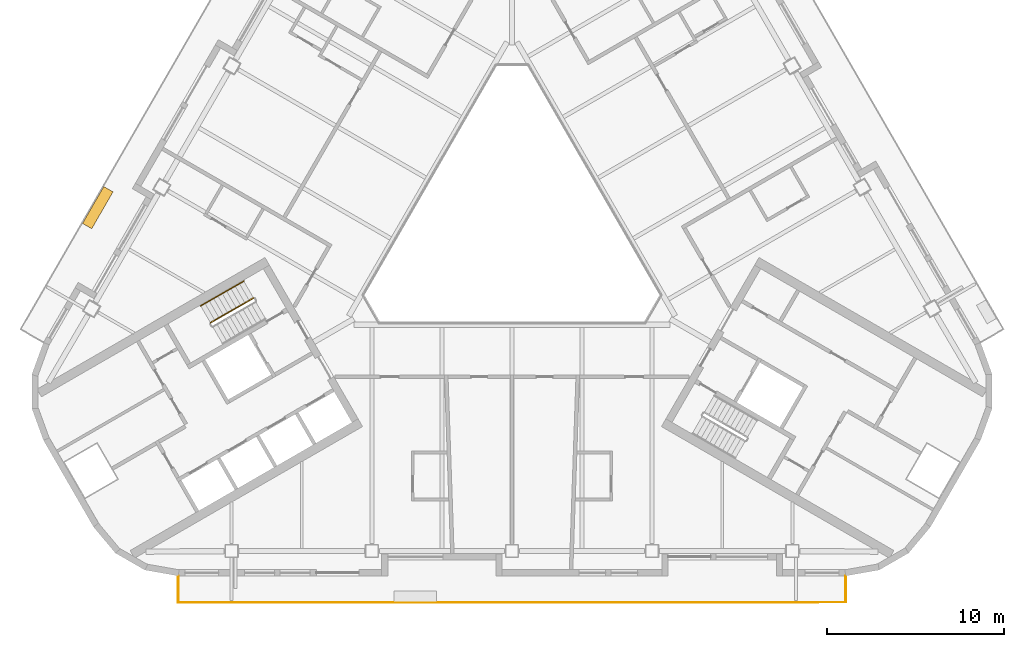
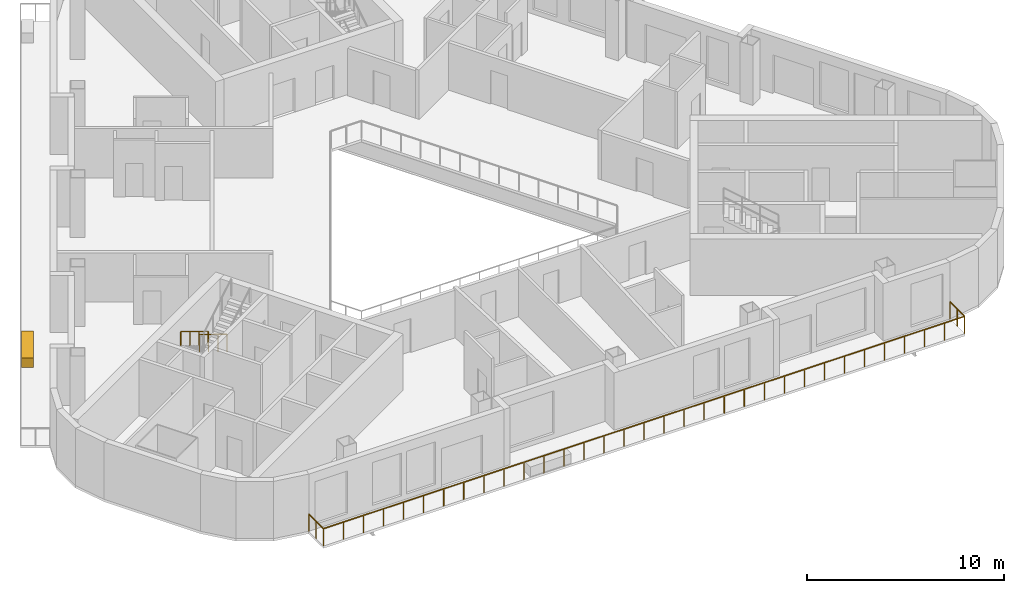
# One storey, part 9 of 13: 3 railings, 1 covering.
"""IFC4 building model written with IfcOpenShell, lengths in metres."""

from ifc_helpers import new_model, si_unit, direction, frame, origin, origin_2d, place, context, subcontext, project, spatial, rectangle, circle, extrude, material, type_object, element, save


model = new_model("IFC4")

# Units and contexts
model_context = context("Model", 3, precision=1e-05, world=origin(), true_north=direction((0.0, 1.0)))
body_context = subcontext(model_context, "Body", "Model", "MODEL_VIEW")
ifc_project = project(units=[si_unit("LENGTHUNIT", "METRE"), si_unit("AREAUNIT", "SQUARE_METRE"), si_unit("VOLUMEUNIT", "CUBIC_METRE"), si_unit("PLANEANGLEUNIT", "RADIAN"), si_unit("MASSUNIT", "GRAM", prefix="KILO")], contexts=[model_context])

# Site, building, storey
site_placement = place(None, origin())
site = spatial("IfcSite", under=ifc_project, at=site_placement, CompositionType="ELEMENT")
building_placement = place(site_placement, origin())
building = spatial("IfcBuilding", under=site, at=building_placement, Name="Apuvela Tower Hotel", CompositionType="ELEMENT")
storey_placement = place(building_placement, frame((0.0, 0.0, 187.300048828125)))
storey = spatial("IfcBuildingStorey", under=building, at=storey_placement, Name="L45", CompositionType="ELEMENT", Elevation=187.300048828125)

# Railings
ifc_material_1 = material(Name="Steel S275 balustrade", Category="steel")
railing_type_1 = type_object("IfcRailingType", Name="COR-GUARD-1100", PredefinedType="GUARDRAIL", material=ifc_material_1)
railing_1_placement = place(storey_placement, frame((-14.569091796875, -3.9658203125, 0.168212890625)))
element("IfcRailing", 1, at=railing_1_placement, inside=storey, type_object=railing_type_1, Name="L45 ST2 stair guard 1", PredefinedType="GUARDRAIL", context=body_context, shape_type="SweptSolid", body=[
    extrude(rectangle(XDim=0.048095703125, YDim=0.048095703125, at=origin_2d()), frame((0.0, 0.0, 1.076171875), z_axis=(-0.74241905619, -0.428617687091, 0.514879426), x_axis=(0.49998411664, -0.866034573852, 0.0)), (0.0, 0.0, 1.0), 3.26611328125),
    extrude(rectangle(XDim=0.0419921875, YDim=0.0419921875, at=origin_2d()), origin(), (0.0, 0.0, 1.0), 1.052001953125),
    extrude(rectangle(XDim=0.0419921875, YDim=0.0419921875, at=origin_2d()), frame((-0.808349609375, -0.466552734375, 0.560546875)), (0.0, 0.0, 1.0), 1.052001953125),
    extrude(rectangle(XDim=0.0419921875, YDim=0.0419921875, at=origin_2d()), frame((-1.616455078125, -0.933349609375, 1.12109375)), (0.0, 0.0, 1.0), 1.052001953125),
    extrude(rectangle(XDim=0.0419921875, YDim=0.0419921875, at=origin_2d()), frame((-2.4248046875, -1.39990234375, 1.681640625)), (0.0, 0.0, 1.0), 1.052001953125),
])
ifc_material_2 = material(Name="Stainless steel 316 handrail", Category="steel")
railing_type_2 = type_object("IfcRailingType", Name="COR-HANDRAIL-900", PredefinedType="HANDRAIL", material=ifc_material_2)
railing_2_placement = place(storey_placement, frame((-15.118896484375, -3.01318359375, 0.168212890625)))
element("IfcRailing", 2, at=railing_2_placement, inside=storey, type_object=railing_type_2, Name="L45 ST2 stair handrail 1", PredefinedType="HANDRAIL", context=body_context, shape_type="SweptSolid", body=[
    extrude(circle(Radius=0.02392578125, at=origin_2d()), frame((0.0, 0.0, 0.8759765625), z_axis=(-0.742452602333, -0.428593901316, 0.514850853203), x_axis=(0.49994636267, -0.866056369097, 0.0)), (0.0, 0.0, 1.0), 3.266357421875),
    extrude(rectangle(XDim=0.0419921875, YDim=0.0419921875, at=origin_2d()), origin(), (0.0, 0.0, 1.0), 0.851806640625),
    extrude(rectangle(XDim=0.0419921875, YDim=0.0419921875, at=origin_2d()), frame((-0.808349609375, -0.466552734375, 0.560546875)), (0.0, 0.0, 1.0), 0.851806640625),
    extrude(rectangle(XDim=0.0419921875, YDim=0.0419921875, at=origin_2d()), frame((-1.61669921875, -0.933349609375, 1.12109375)), (0.0, 0.0, 1.0), 0.851806640625),
    extrude(rectangle(XDim=0.0419921875, YDim=0.0419921875, at=origin_2d()), frame((-2.425048828125, -1.39990234375, 1.681640625)), (0.0, 0.0, 1.0), 0.851806640625),
])
ifc_material_3 = material(Name="Stainless steel 316 rail with laminated glass infill", Category="steel")
railing_type_3 = type_object("IfcRailingType", Name="ENV-GUARD-1100", PredefinedType="GUARDRAIL", material=ifc_material_3)
railing_3_placement = place(storey_placement, frame((-18.81591796875, -19.6298828125, 0.0)))
element("IfcRailing", 3, at=railing_3_placement, inside=storey, type_object=railing_type_3, Name="Balcony guard S L45", PredefinedType="GUARDRAIL", context=body_context, shape_type="SweptSolid", body=[
    extrude(rectangle(XDim=0.050048828125, YDim=0.050048828125, at=origin_2d()), frame((0.0, 0.0, 1.0751953125), z_axis=(0.0, -1.0, 0.0), x_axis=(1.0, 0.0, 0.0)), (0.0, 0.0, 1.0), 1.5),
    extrude(rectangle(XDim=0.050048828125, YDim=0.050048828125, at=origin_2d()), frame((0.0, -1.5, 1.0751953125), z_axis=(1.0, 0.0, 0.0), x_axis=(0.0, 1.0, 0.0)), (0.0, 0.0, 1.0), 37.6318359375),
    extrude(rectangle(XDim=0.050048828125, YDim=0.050048828125, at=origin_2d()), frame((37.6318359375, -1.5, 1.0751953125), z_axis=(0.0, 1.0, 0.0), x_axis=(-1.0, 0.0, 0.0)), (0.0, 0.0, 1.0), 1.5),
    extrude(rectangle(XDim=0.0400390625, YDim=0.0400390625, at=origin_2d()), origin(), (0.0, 0.0, 1.0), 1.050048828125),
    extrude(rectangle(XDim=0.0400390625, YDim=0.0400390625, at=origin_2d()), frame((0.0, -0.75, 0.0)), (0.0, 0.0, 1.0), 1.050048828125),
    extrude(rectangle(XDim=0.0400390625, YDim=0.0400390625, at=origin_2d()), frame((0.0, -1.5, 0.0)), (0.0, 0.0, 1.0), 1.050048828125),
    extrude(rectangle(XDim=0.0400390625, YDim=0.0400390625, at=origin_2d()), frame((1.176025390625, -1.5, 0.0)), (0.0, 0.0, 1.0), 1.050048828125),
    extrude(rectangle(XDim=0.0400390625, YDim=0.0400390625, at=origin_2d()), frame((2.35205078125, -1.5, 0.0)), (0.0, 0.0, 1.0), 1.050048828125),
    extrude(rectangle(XDim=0.0400390625, YDim=0.0400390625, at=origin_2d()), frame((3.528076171875, -1.5, 0.0)), (0.0, 0.0, 1.0), 1.050048828125),
    extrude(rectangle(XDim=0.0400390625, YDim=0.0400390625, at=origin_2d()), frame((4.7041015625, -1.5, 0.0)), (0.0, 0.0, 1.0), 1.050048828125),
    extrude(rectangle(XDim=0.0400390625, YDim=0.0400390625, at=origin_2d()), frame((5.8798828125, -1.5, 0.0)), (0.0, 0.0, 1.0), 1.050048828125),
    extrude(rectangle(XDim=0.0400390625, YDim=0.0400390625, at=origin_2d()), frame((7.055908203125, -1.5, 0.0)), (0.0, 0.0, 1.0), 1.050048828125),
    extrude(rectangle(XDim=0.0400390625, YDim=0.0400390625, at=origin_2d()), frame((8.23193359375, -1.5, 0.0)), (0.0, 0.0, 1.0), 1.050048828125),
    extrude(rectangle(XDim=0.0400390625, YDim=0.0400390625, at=origin_2d()), frame((9.407958984375, -1.5, 0.0)), (0.0, 0.0, 1.0), 1.050048828125),
    extrude(rectangle(XDim=0.0400390625, YDim=0.0400390625, at=origin_2d()), frame((10.583984375, -1.5, 0.0)), (0.0, 0.0, 1.0), 1.050048828125),
    extrude(rectangle(XDim=0.0400390625, YDim=0.0400390625, at=origin_2d()), frame((11.760009765625, -1.5, 0.0)), (0.0, 0.0, 1.0), 1.050048828125),
    extrude(rectangle(XDim=0.0400390625, YDim=0.0400390625, at=origin_2d()), frame((12.93603515625, -1.5, 0.0)), (0.0, 0.0, 1.0), 1.050048828125),
    extrude(rectangle(XDim=0.0400390625, YDim=0.0400390625, at=origin_2d()), frame((14.11181640625, -1.5, 0.0)), (0.0, 0.0, 1.0), 1.050048828125),
    extrude(rectangle(XDim=0.0400390625, YDim=0.0400390625, at=origin_2d()), frame((15.287841796875, -1.5, 0.0)), (0.0, 0.0, 1.0), 1.050048828125),
    extrude(rectangle(XDim=0.0400390625, YDim=0.0400390625, at=origin_2d()), frame((16.4638671875, -1.5, 0.0)), (0.0, 0.0, 1.0), 1.050048828125),
    extrude(rectangle(XDim=0.0400390625, YDim=0.0400390625, at=origin_2d()), frame((17.639892578125, -1.5, 0.0)), (0.0, 0.0, 1.0), 1.050048828125),
    extrude(rectangle(XDim=0.0400390625, YDim=0.0400390625, at=origin_2d()), frame((18.81591796875, -1.5, 0.0)), (0.0, 0.0, 1.0), 1.050048828125),
    extrude(rectangle(XDim=0.0400390625, YDim=0.0400390625, at=origin_2d()), frame((19.991943359375, -1.5, 0.0)), (0.0, 0.0, 1.0), 1.050048828125),
    extrude(rectangle(XDim=0.0400390625, YDim=0.0400390625, at=origin_2d()), frame((21.16796875, -1.5, 0.0)), (0.0, 0.0, 1.0), 1.050048828125),
    extrude(rectangle(XDim=0.0400390625, YDim=0.0400390625, at=origin_2d()), frame((22.343994140625, -1.5, 0.0)), (0.0, 0.0, 1.0), 1.050048828125),
    extrude(rectangle(XDim=0.0400390625, YDim=0.0400390625, at=origin_2d()), frame((23.52001953125, -1.5, 0.0)), (0.0, 0.0, 1.0), 1.050048828125),
    extrude(rectangle(XDim=0.0400390625, YDim=0.0400390625, at=origin_2d()), frame((24.69580078125, -1.5, 0.0)), (0.0, 0.0, 1.0), 1.050048828125),
    extrude(rectangle(XDim=0.0400390625, YDim=0.0400390625, at=origin_2d()), frame((25.871826171875, -1.5, 0.0)), (0.0, 0.0, 1.0), 1.050048828125),
    extrude(rectangle(XDim=0.0400390625, YDim=0.0400390625, at=origin_2d()), frame((27.0478515625, -1.5, 0.0)), (0.0, 0.0, 1.0), 1.050048828125),
    extrude(rectangle(XDim=0.0400390625, YDim=0.0400390625, at=origin_2d()), frame((28.223876953125, -1.5, 0.0)), (0.0, 0.0, 1.0), 1.050048828125),
    extrude(rectangle(XDim=0.0400390625, YDim=0.0400390625, at=origin_2d()), frame((29.39990234375, -1.5, 0.0)), (0.0, 0.0, 1.0), 1.050048828125),
    extrude(rectangle(XDim=0.0400390625, YDim=0.0400390625, at=origin_2d()), frame((30.575927734375, -1.5, 0.0)), (0.0, 0.0, 1.0), 1.050048828125),
    extrude(rectangle(XDim=0.0400390625, YDim=0.0400390625, at=origin_2d()), frame((31.751953125, -1.5, 0.0)), (0.0, 0.0, 1.0), 1.050048828125),
    extrude(rectangle(XDim=0.0400390625, YDim=0.0400390625, at=origin_2d()), frame((32.927734375, -1.5, 0.0)), (0.0, 0.0, 1.0), 1.050048828125),
    extrude(rectangle(XDim=0.0400390625, YDim=0.0400390625, at=origin_2d()), frame((34.103759765625, -1.5, 0.0)), (0.0, 0.0, 1.0), 1.050048828125),
    extrude(rectangle(XDim=0.0400390625, YDim=0.0400390625, at=origin_2d()), frame((35.27978515625, -1.5, 0.0)), (0.0, 0.0, 1.0), 1.050048828125),
    extrude(rectangle(XDim=0.0400390625, YDim=0.0400390625, at=origin_2d()), frame((36.455810546875, -1.5, 0.0)), (0.0, 0.0, 1.0), 1.050048828125),
    extrude(rectangle(XDim=0.0400390625, YDim=0.0400390625, at=origin_2d()), frame((37.6318359375, -1.5, 0.0)), (0.0, 0.0, 1.0), 1.050048828125),
    extrude(rectangle(XDim=0.0400390625, YDim=0.0400390625, at=origin_2d()), frame((37.6318359375, -0.75, 0.0)), (0.0, 0.0, 1.0), 1.050048828125),
    extrude(rectangle(XDim=0.0400390625, YDim=0.0400390625, at=origin_2d()), frame((37.6318359375, 0.0, 0.0)), (0.0, 0.0, 1.0), 1.050048828125),
])

# Covering
ifc_material_4 = material(Name="Planting substrate and soil, planted")
covering_type = type_object("IfcCoveringType", Name="ENV-PLANTER-2400x600", PredefinedType="USERDEFINED", material=ifc_material_4)
covering_placement = place(storey_placement, frame((-23.345947265625, 1.12353515625, 0.0), z_axis=(0.0, 0.0, 1.0), x_axis=(-0.5, -0.866025403784, 0.0)))
element("IfcCovering", 4, at=covering_placement, inside=storey, type_object=covering_type, Name="Planter NW5", ObjectType="PLANTER", PredefinedType="USERDEFINED", context=body_context, shape_type="SweptSolid", body=[
    extrude(rectangle(XDim=2.39990234375, YDim=0.60009765625, at=origin_2d()), origin(), (0.0, 0.0, 1.0), 0.60009765625),
])

save(model, "model.ifc")
